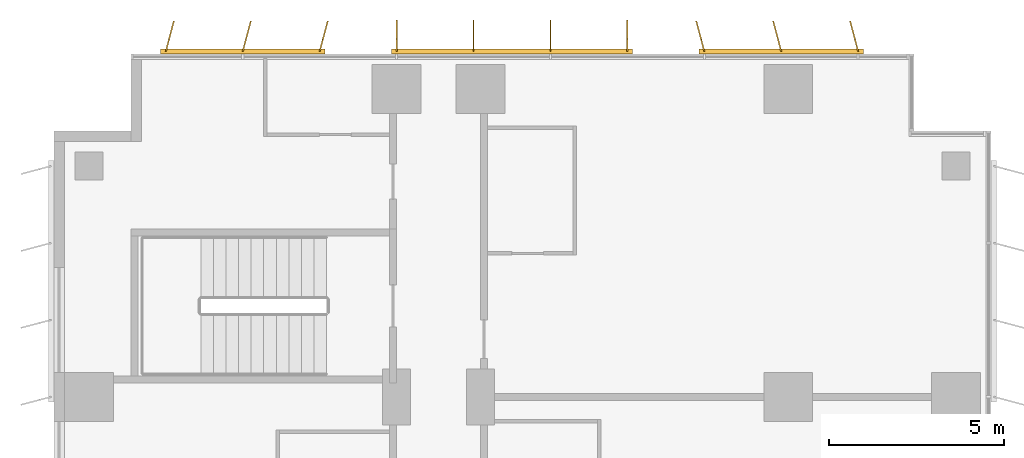
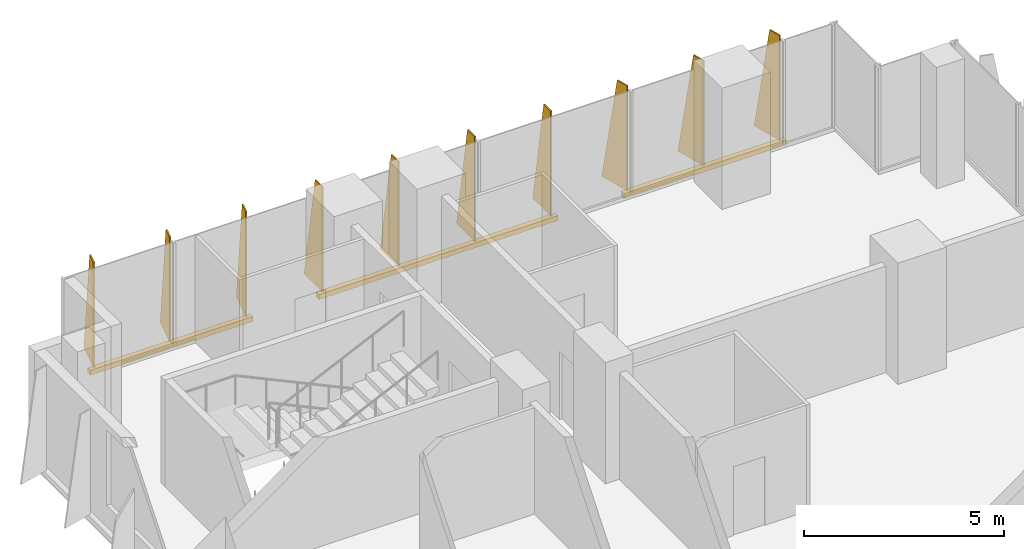
# One storey, part 23 of 23: 3 shading devices.
"""IFC4 building model written with IfcOpenShell, lengths in metres."""

from ifc_helpers import new_model, si_unit, direction, frame, origin, origin_2d, place, context, subcontext, project, spatial, polyline, rectangle, outline, extrude, source, transform, mapped, material, layer, layer_set, type_object, element, save


model = new_model("IFC4")

# Units and contexts
model_context = context("Model", 3, precision=1e-05, world=origin(), true_north=direction((0.0, 1.0)))
body_context = subcontext(model_context, "Body", "Model", "MODEL_VIEW")
ifc_project = project(units=[si_unit("LENGTHUNIT", "METRE"), si_unit("AREAUNIT", "SQUARE_METRE"), si_unit("VOLUMEUNIT", "CUBIC_METRE"), si_unit("PLANEANGLEUNIT", "RADIAN"), si_unit("MASSUNIT", "GRAM", prefix="KILO")], contexts=[model_context])

# Site, building, storey
site_placement = place(None, origin())
site = spatial("IfcSite", under=ifc_project, at=site_placement, CompositionType="ELEMENT")
building_placement = place(site_placement, origin())
building = spatial("IfcBuilding", under=site, at=building_placement, Name="Kemantara Hotel Tower", CompositionType="ELEMENT")
storey_placement = place(building_placement, frame((0.0, 0.0, 67.300048828125)))
storey = spatial("IfcBuildingStorey", under=building, at=storey_placement, Name="L15", CompositionType="ELEMENT", Elevation=67.300048828125)

# Shading devices
ifc_material = material(Name="Perforated aluminium plate 4 mm bronze anodised", Category="aluminium")
ifc_layer_1 = layer(ifc_material, 0.0400390625)
ifc_layer_set_1 = layer_set([ifc_layer_1], Name="Perforated aluminium plate 4 mm bronze anodised")
shading_device_type_1 = type_object("IfcShadingDeviceType", Name="SCREEN FIN CASSETTE, 3 BLADES AT -15.0 DEG, 3200 HIGH", PredefinedType="USERDEFINED", material=ifc_layer_set_1)
shared_shape_1 = source(origin(), body_context, "Body", "SweptSolid", [
    extrude(rectangle(XDim=4.699951171875, YDim=0.14990234375, at=origin_2d()), frame((2.199951171875, -0.074951171875, -0.14990234375), z_axis=(0.0, 0.0, 1.0), x_axis=(1.0, 0.0, 0.0)), (0.0, 0.0, 1.0), 0.14990234375),
    extrude(outline(polyline([(0.0, 0.0), (0.89990234375, 0.0), (0.35009765625, 3.199951171875), (0.0, 3.199951171875), (0.0, 0.0)])), frame((0.019287109375, -0.080078125, 0.0), z_axis=(-0.966437683387, 0.256901156343, 0.0), x_axis=(-0.256901156343, -0.966437683387, 0.0)), (0.0, 0.0, 1.0), 0.039794921875),
    extrude(outline(polyline([(0.0, 0.0), (0.89990234375, 0.0), (0.35009765625, 3.199951171875), (0.0, 3.199951171875), (0.0, 0.0)])), frame((2.21923828125, -0.080078125, 0.0), z_axis=(-0.966437683387, 0.256901156343, 0.0), x_axis=(-0.256901156343, -0.966437683387, 0.0)), (0.0, 0.0, 1.0), 0.039794921875),
    extrude(outline(polyline([(0.0, 0.0), (0.89990234375, 0.0), (0.35009765625, 3.199951171875), (0.0, 3.199951171875), (0.0, 0.0)])), frame((4.41943359375, -0.080078125, 0.0), z_axis=(-0.966837822169, 0.255391122837, 0.0), x_axis=(-0.255391122837, -0.966837822169, 0.0)), (0.0, 0.0, 1.0), 0.0400390625),
])
shading_device_1_placement = place(storey_placement, frame((7.60009765625, 81.199951171875, 0.099853515625), z_axis=(0.0, 0.0, 1.0), x_axis=(-1.0, 0.0, 0.0)))
element("IfcShadingDevice", 1, at=shading_device_1_placement, inside=storey, type_object=shading_device_type_1, Name="SCREEN FIN CASSETTE L15 T1-R11-3", ObjectType="SCREEN FIN", PredefinedType="USERDEFINED", context=body_context, shape_type="MappedRepresentation", body=[
    mapped(shared_shape_1, transform((0.0, 0.0, 0.0))),
])
ifc_layer_2 = layer(ifc_material, 0.0400390625)
ifc_layer_set_2 = layer_set([ifc_layer_2], Name="Perforated aluminium plate 4 mm bronze anodised")
shading_device_type_2 = type_object("IfcShadingDeviceType", Name="SCREEN FIN CASSETTE, 4 BLADES AT +0.0 DEG, 3200 HIGH", PredefinedType="USERDEFINED", material=ifc_layer_set_2)
shared_shape_2 = source(origin(), body_context, "Body", "SweptSolid", [
    extrude(rectangle(XDim=6.89990234375, YDim=0.14990234375, at=origin_2d()), frame((3.300048828125, -0.074951171875, -0.14990234375), z_axis=(0.0, 0.0, 1.0), x_axis=(1.0, 0.0, 0.0)), (0.0, 0.0, 1.0), 0.14990234375),
    extrude(outline(polyline([(0.0, 0.0), (0.89990234375, 0.0), (0.35009765625, 3.199951171875), (0.0, 3.199951171875), (0.0, 0.0)])), frame((0.02001953125, -0.074951171875, 0.0), z_axis=(-1.0, 0.0, 0.0), x_axis=(0.0, -1.0, 0.0)), (0.0, 0.0, 1.0), 0.0400390625),
    extrude(outline(polyline([(0.0, 0.0), (0.89990234375, 0.0), (0.35009765625, 3.199951171875), (0.0, 3.199951171875), (0.0, 0.0)])), frame((2.219970703125, -0.074951171875, 0.0), z_axis=(-1.0, 0.0, 0.0), x_axis=(0.0, -1.0, 0.0)), (0.0, 0.0, 1.0), 0.0400390625),
    extrude(outline(polyline([(0.0, 0.0), (0.89990234375, 0.0), (0.35009765625, 3.199951171875), (0.0, 3.199951171875), (0.0, 0.0)])), frame((4.419921875, -0.074951171875, 0.0), z_axis=(-1.0, 0.0, 0.0), x_axis=(0.0, -1.0, 0.0)), (0.0, 0.0, 1.0), 0.0400390625),
    extrude(outline(polyline([(0.0, 0.0), (0.89990234375, 0.0), (0.35009765625, 3.199951171875), (0.0, 3.199951171875), (0.0, 0.0)])), frame((6.6201171875, -0.074951171875, 0.0), z_axis=(-1.0, 0.0, 0.0), x_axis=(0.0, -1.0, 0.0)), (0.0, 0.0, 1.0), 0.0400390625),
])
shading_device_2_placement = place(storey_placement, frame((16.39990234375, 81.199951171875, 0.099853515625), z_axis=(0.0, 0.0, 1.0), x_axis=(-1.0, 0.0, 0.0)))
element("IfcShadingDevice", 2, at=shading_device_2_placement, inside=storey, type_object=shading_device_type_2, Name="SCREEN FIN CASSETTE L15 T1-R11-2", ObjectType="SCREEN FIN", PredefinedType="USERDEFINED", context=body_context, shape_type="MappedRepresentation", body=[
    mapped(shared_shape_2, transform((0.0, 0.0, 0.0))),
])
ifc_layer_3 = layer(ifc_material, 0.0400390625)
ifc_layer_set_3 = layer_set([ifc_layer_3], Name="Perforated aluminium plate 4 mm bronze anodised")
shading_device_type_3 = type_object("IfcShadingDeviceType", Name="SCREEN FIN CASSETTE, 3 BLADES AT +15.0 DEG, 3200 HIGH", PredefinedType="USERDEFINED", material=ifc_layer_set_3)
shared_shape_3 = source(origin(), body_context, "Body", "SweptSolid", [
    extrude(rectangle(XDim=4.699951171875, YDim=0.14990234375, at=origin_2d()), frame((2.199951171875, -0.074951171875, -0.14990234375), z_axis=(0.0, 0.0, 1.0), x_axis=(1.0, 0.0, 0.0)), (0.0, 0.0, 1.0), 0.14990234375),
    extrude(outline(polyline([(0.0, 0.0), (0.89990234375, 0.0), (0.35009765625, 3.199951171875), (0.0, 3.199951171875), (0.0, 0.0)])), frame((0.019287109375, -0.06982421875, 0.0), z_axis=(-0.966437683387, -0.256901156343, 0.0), x_axis=(0.256901156343, -0.966437683387, 0.0)), (0.0, 0.0, 1.0), 0.039794921875),
    extrude(outline(polyline([(0.0, 0.0), (0.89990234375, 0.0), (0.35009765625, 3.199951171875), (0.0, 3.199951171875), (0.0, 0.0)])), frame((2.21923828125, -0.06982421875, 0.0), z_axis=(-0.966437683387, -0.256901156343, 0.0), x_axis=(0.256901156343, -0.966437683387, 0.0)), (0.0, 0.0, 1.0), 0.039794921875),
    extrude(outline(polyline([(0.0, 0.0), (0.89990234375, 0.0), (0.35009765625, 3.199951171875), (0.0, 3.199951171875), (0.0, 0.0)])), frame((4.41943359375, -0.06982421875, 0.0), z_axis=(-0.966837822169, -0.255391122837, 0.0), x_axis=(0.255391122837, -0.966837822169, 0.0)), (0.0, 0.0, 1.0), 0.0400390625),
])
shading_device_3_placement = place(storey_placement, frame((23.0, 81.199951171875, 0.099853515625), z_axis=(0.0, 0.0, 1.0), x_axis=(-1.0, 0.0, 0.0)))
element("IfcShadingDevice", 3, at=shading_device_3_placement, inside=storey, type_object=shading_device_type_3, Name="SCREEN FIN CASSETTE L15 T1-R11-1", ObjectType="SCREEN FIN", PredefinedType="USERDEFINED", context=body_context, shape_type="MappedRepresentation", body=[
    mapped(shared_shape_3, transform((0.0, 0.0, 0.0))),
])

save(model, "model.ifc")
